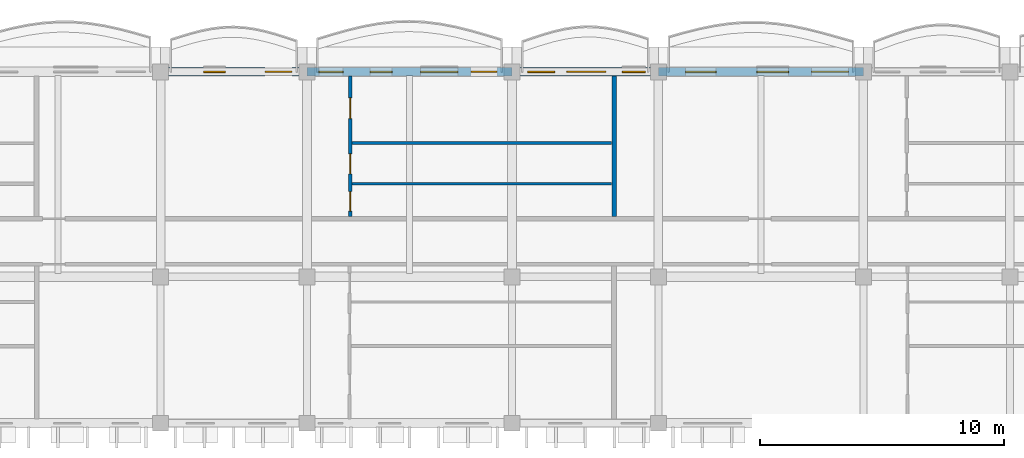
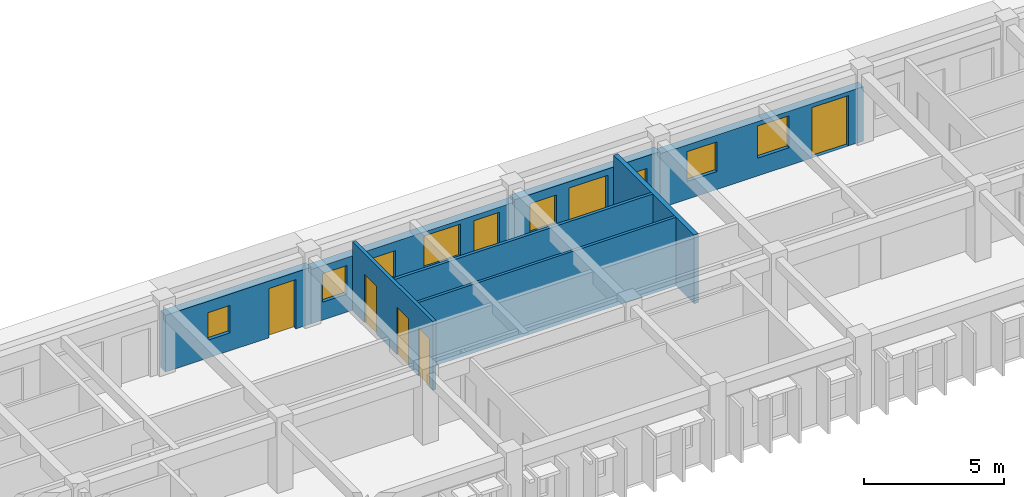
# One storey, part 40 of 79: 8 walls, 8 windows, 7 doors, 15 openings.
"""IFC4 building model written with IfcOpenShell, lengths in metres."""

from ifc_helpers import new_model, si_unit, direction, frame, frame_2d, origin, place, context, subcontext, project, spatial, rectangle, extrude, material, layer, layer_set, type_object, element, fill, save


model = new_model("IFC4")

# Units and contexts
model_context = context("Model", 3, precision=1e-05, world=origin(), true_north=direction((0.0, 1.0)))
body_context = subcontext(model_context, "Body", "Model", "MODEL_VIEW")
ifc_project = project(units=[si_unit("LENGTHUNIT", "METRE"), si_unit("AREAUNIT", "SQUARE_METRE"), si_unit("VOLUMEUNIT", "CUBIC_METRE"), si_unit("PLANEANGLEUNIT", "RADIAN"), si_unit("MASSUNIT", "GRAM", prefix="KILO"), si_unit("THERMODYNAMICTEMPERATUREUNIT", "KELVIN")], contexts=[model_context])

# Site, building, storey
site_placement = place(None, origin())
site = spatial("IfcSite", under=ifc_project, at=site_placement, CompositionType="ELEMENT")
building_placement = place(site_placement, origin())
building = spatial("IfcBuilding", under=site, at=building_placement, Name="Thalorik Housing Commons", CompositionType="ELEMENT")
storey_placement = place(building_placement, frame((0.0, 0.0, 11.39990234375)))
storey = spatial("IfcBuildingStorey", under=building, at=storey_placement, Name="L03", CompositionType="ELEMENT", Elevation=11.39990234375)

# Wall, openings, door, windows
ifc_material_1 = material(Name="White precast concrete C40/50", Category="concrete")
ifc_layer_1 = layer(ifc_material_1, 0.35009765625, Name="White precast concrete C40/50", Category="concrete")
ifc_layer_set_1 = layer_set([ifc_layer_1], Name="White precast concrete C40/50")
wall_type_1 = type_object("IfcWallType", Name="ARC-WAL-EXT-350", PredefinedType="STANDARD", material=ifc_layer_set_1)
wall_1_placement = place(storey_placement, frame((138.0, 123.60009765625, 0.0), z_axis=(0.0, 0.0, 1.0), x_axis=(-1.0, 0.0, 0.0)))
wall_1 = element("IfcWall", 1, at=wall_1_placement, inside=storey, type_object=wall_type_1, Name="L03 Exterior Wall WAL-EXT-L03-B-0490", PredefinedType="STANDARD", context=body_context, shape_type="SweptSolid", body=[
    extrude(rectangle(XDim=8.39990234375, YDim=0.35009765625, at=frame_2d((4.199951171875, 0.0))), origin(), (0.0, 0.0, 1.0), 2.375),
])
opening_1_placement = place(wall_1_placement, frame((0.6201171875, 0.0, 0.0)))
opening_1 = element("IfcOpeningElement", 2, at=opening_1_placement, cuts=wall_1, Name="Opening ED-0145", PredefinedType="OPENING", context=body_context, shape_type="SweptSolid", body=[
    extrude(rectangle(XDim=1.5, YDim=2.199951171875, at=frame_2d((0.75, 1.10009765625))), frame((0.0, 0.18505859375, 0.0), z_axis=(0.0, -1.0, 0.0), x_axis=(1.0, 0.0, 0.0)), (0.0, 0.0, 1.0), 0.3701171875),
])
opening_2_placement = place(wall_1_placement, frame((3.06494140625, 0.0, 0.780029296875)))
opening_2 = element("IfcOpeningElement", 3, at=opening_2_placement, cuts=wall_1, Name="Opening W-06", PredefinedType="OPENING", context=body_context, shape_type="SweptSolid", body=[
    extrude(rectangle(XDim=1.300048828125, YDim=1.39990234375, at=frame_2d((0.64990234375, 0.699951171875))), frame((0.0, 0.18505859375, 0.0), z_axis=(0.0, -1.0, 0.0), x_axis=(1.0, 0.0, 0.0)), (0.0, 0.0, 1.0), 0.3701171875),
])
opening_3_placement = place(wall_1_placement, frame((6.0400390625, 0.0, 0.780029296875)))
opening_3 = element("IfcOpeningElement", 4, at=opening_3_placement, cuts=wall_1, Name="Opening W-46", PredefinedType="OPENING", context=body_context, shape_type="SweptSolid", body=[
    extrude(rectangle(XDim=1.25, YDim=1.300048828125, at=frame_2d((0.625, 0.64990234375))), frame((0.0, 0.18505859375, 0.0), z_axis=(0.0, -1.0, 0.0), x_axis=(1.0, 0.0, 0.0)), (0.0, 0.0, 1.0), 0.3701171875),
])
ifc_material_2 = material(Name="Anodised aluminium and laminated safety glass", Category="aluminium")
door_type_1 = type_object("IfcDoorType", Name="ARC-DR-BAL-1500", OperationType="NOTDEFINED", PredefinedType="DOOR", material=ifc_material_2)
door_1_placement = place(opening_1_placement, frame((1.5, 0.0, 0.0), z_axis=(0.0, 0.0, 1.0), x_axis=(-1.0, 0.0, 0.0)))
door_1 = element("IfcDoor", 5, at=door_1_placement, inside=storey, type_object=door_type_1, Name="L03 Block B Balcony Glazed Door", OperationType="SLIDING_TO_RIGHT", OverallHeight=2.199951171875, OverallWidth=1.5, PredefinedType="DOOR", context=body_context, shape_type="SweptSolid", body=[
    extrude(rectangle(XDim=1.5, YDim=2.199951171875, at=frame_2d((0.75, 1.10009765625))), frame((0.0, 0.02490234375, 0.0), z_axis=(0.0, -1.0, 0.0), x_axis=(1.0, 0.0, 0.0)), (0.0, 0.0, 1.0), 0.050048828125),
])
fill(opening_1, door_1)
ifc_material_3 = material(Name="Anodised aluminium and solar-control low-E glass", Category="aluminium")
window_type_1 = type_object("IfcWindowType", Name="ARC-WIN-06", PartitioningType="SINGLE_PANEL", PredefinedType="WINDOW", material=ifc_material_3)
window_1_placement = place(opening_2_placement, origin())
window_1 = element("IfcWindow", 6, at=window_1_placement, inside=storey, type_object=window_type_1, Name="L03 Facade Window 880", OverallHeight=1.39990234375, OverallWidth=1.300048828125, PartitioningType="SINGLE_PANEL", PredefinedType="WINDOW", context=body_context, shape_type="SweptSolid", body=[
    extrude(rectangle(XDim=1.300048828125, YDim=1.39990234375, at=frame_2d((0.64990234375, 0.699951171875))), frame((0.0, 0.030029296875, 0.0), z_axis=(0.0, -1.0, 0.0), x_axis=(1.0, 0.0, 0.0)), (0.0, 0.0, 1.0), 0.06005859375),
])
fill(opening_2, window_1)
window_type_2 = type_object("IfcWindowType", Name="ARC-WIN-46", PartitioningType="SINGLE_PANEL", PredefinedType="WINDOW", material=ifc_material_3)
window_2_placement = place(opening_3_placement, origin())
window_2 = element("IfcWindow", 7, at=window_2_placement, inside=storey, type_object=window_type_2, Name="L03 Facade Window 881", OverallHeight=1.300048828125, OverallWidth=1.25, PartitioningType="SINGLE_PANEL", PredefinedType="WINDOW", context=body_context, shape_type="SweptSolid", body=[
    extrude(rectangle(XDim=1.25, YDim=1.300048828125, at=frame_2d((0.625, 0.64990234375))), frame((0.0, 0.030029296875, 0.0), z_axis=(0.0, -1.0, 0.0), x_axis=(1.0, 0.0, 0.0)), (0.0, 0.0, 1.0), 0.06005859375),
])
fill(opening_3, window_2)

wall_2_placement = place(storey_placement, frame((129.60009765625, 123.60009765625, 0.0), z_axis=(0.0, 0.0, 1.0), x_axis=(-1.0, 0.0, 0.0)))
wall_2 = element("IfcWall", 8, at=wall_2_placement, inside=storey, type_object=wall_type_1, Name="L03 Exterior Wall WAL-EXT-L03-B-0491", PredefinedType="STANDARD", context=body_context, shape_type="SweptSolid", body=[
    extrude(rectangle(XDim=6.0, YDim=0.35009765625, at=frame_2d((3.0, 0.0))), origin(), (0.0, 0.0, 1.0), 2.47509765625),
])
opening_4_placement = place(wall_2_placement, frame((2.14990234375, 0.0, 0.0)))
opening_4 = element("IfcOpeningElement", 9, at=opening_4_placement, cuts=wall_2, Name="Opening ED-0146", PredefinedType="OPENING", context=body_context, shape_type="SweptSolid", body=[
    extrude(rectangle(XDim=1.60009765625, YDim=2.199951171875, at=frame_2d((0.800048828125, 1.10009765625))), frame((0.0, 0.18505859375, 0.0), z_axis=(0.0, -1.0, 0.0), x_axis=(1.0, 0.0, 0.0)), (0.0, 0.0, 1.0), 0.3701171875),
])
opening_5_placement = place(wall_2_placement, frame((0.530029296875, 0.0, 0.780029296875)))
opening_5 = element("IfcOpeningElement", 10, at=opening_5_placement, cuts=wall_2, Name="Opening W-43", PredefinedType="OPENING", context=body_context, shape_type="SweptSolid", body=[
    extrude(rectangle(XDim=0.949951171875, YDim=1.14990234375, at=frame_2d((0.47509765625, 0.574951171875))), frame((0.0, 0.18505859375, 0.0), z_axis=(0.0, -1.0, 0.0), x_axis=(1.0, 0.0, 0.0)), (0.0, 0.0, 1.0), 0.3701171875),
])
opening_6_placement = place(wall_2_placement, frame((4.2548828125, 0.0, 0.780029296875)))
opening_6 = element("IfcOpeningElement", 11, at=opening_6_placement, cuts=wall_2, Name="Opening W-03", PredefinedType="OPENING", context=body_context, shape_type="SweptSolid", body=[
    extrude(rectangle(XDim=1.10009765625, YDim=1.300048828125, at=frame_2d((0.550048828125, 0.64990234375))), frame((0.0, 0.18505859375, 0.0), z_axis=(0.0, -1.0, 0.0), x_axis=(1.0, 0.0, 0.0)), (0.0, 0.0, 1.0), 0.3701171875),
])
door_type_2 = type_object("IfcDoorType", Name="ARC-DR-BAL-1600", OperationType="NOTDEFINED", PredefinedType="DOOR", material=ifc_material_2)
door_2_placement = place(opening_4_placement, frame((1.60009765625, 0.0, 0.0), z_axis=(0.0, 0.0, 1.0), x_axis=(-1.0, 0.0, 0.0)))
door_2 = element("IfcDoor", 12, at=door_2_placement, inside=storey, type_object=door_type_2, Name="L03 Block B Balcony Glazed Door", OperationType="SLIDING_TO_LEFT", OverallHeight=2.199951171875, OverallWidth=1.60009765625, PredefinedType="DOOR", context=body_context, shape_type="SweptSolid", body=[
    extrude(rectangle(XDim=1.60009765625, YDim=2.199951171875, at=frame_2d((0.800048828125, 1.10009765625))), frame((0.0, 0.02490234375, 0.0), z_axis=(0.0, -1.0, 0.0), x_axis=(1.0, 0.0, 0.0)), (0.0, 0.0, 1.0), 0.050048828125),
])
fill(opening_4, door_2)
window_type_3 = type_object("IfcWindowType", Name="ARC-WIN-03", PartitioningType="SINGLE_PANEL", PredefinedType="WINDOW", material=ifc_material_3)
window_3_placement = place(opening_6_placement, origin())
window_3 = element("IfcWindow", 13, at=window_3_placement, inside=storey, type_object=window_type_3, Name="L03 Facade Window 883", OverallHeight=1.300048828125, OverallWidth=1.10009765625, PartitioningType="SINGLE_PANEL", PredefinedType="WINDOW", context=body_context, shape_type="SweptSolid", body=[
    extrude(rectangle(XDim=1.10009765625, YDim=1.300048828125, at=frame_2d((0.550048828125, 0.64990234375))), frame((0.0, 0.030029296875, 0.0), z_axis=(0.0, -1.0, 0.0), x_axis=(1.0, 0.0, 0.0)), (0.0, 0.0, 1.0), 0.06005859375),
])
fill(opening_6, window_3)
window_type_4 = type_object("IfcWindowType", Name="ARC-WIN-43", PartitioningType="SINGLE_PANEL", PredefinedType="WINDOW", material=ifc_material_3)
window_4_placement = place(opening_5_placement, origin())
window_4 = element("IfcWindow", 14, at=window_4_placement, inside=storey, type_object=window_type_4, Name="L03 Facade Window 882", OverallHeight=1.14990234375, OverallWidth=0.949951171875, PartitioningType="SINGLE_PANEL", PredefinedType="WINDOW", context=body_context, shape_type="SweptSolid", body=[
    extrude(rectangle(XDim=0.949951171875, YDim=1.14990234375, at=frame_2d((0.47509765625, 0.574951171875))), frame((0.0, 0.030029296875, 0.0), z_axis=(0.0, -1.0, 0.0), x_axis=(1.0, 0.0, 0.0)), (0.0, 0.0, 1.0), 0.06005859375),
])
fill(opening_5, window_4)

wall_3_placement = place(storey_placement, frame((123.60009765625, 123.60009765625, 0.0), z_axis=(0.0, 0.0, 1.0), x_axis=(-1.0, 0.0, 0.0)))
wall_3 = element("IfcWall", 15, at=wall_3_placement, inside=storey, type_object=wall_type_1, Name="L03 Exterior Wall WAL-EXT-L03-B-0492", PredefinedType="STANDARD", context=body_context, shape_type="SweptSolid", body=[
    extrude(rectangle(XDim=8.400146484375, YDim=0.35009765625, at=frame_2d((4.2001953125, 0.0))), origin(), (0.0, 0.0, 1.0), 2.375),
])
opening_7_placement = place(wall_3_placement, frame((0.6201171875, 0.0, 0.0)))
opening_7 = element("IfcOpeningElement", 16, at=opening_7_placement, cuts=wall_3, Name="Opening ED-0147", PredefinedType="OPENING", context=body_context, shape_type="SweptSolid", body=[
    extrude(rectangle(XDim=1.050048828125, YDim=2.14990234375, at=frame_2d((0.52490234375, 1.074951171875))), frame((0.0, 0.18505859375, 0.0), z_axis=(0.0, -1.0, 0.0), x_axis=(1.0, 0.0, 0.0)), (0.0, 0.0, 1.0), 0.3701171875),
])
opening_8_placement = place(wall_3_placement, frame((2.220703125, 0.0, 0.780029296875)))
opening_8 = element("IfcOpeningElement", 17, at=opening_8_placement, cuts=wall_3, Name="Opening W-52", PredefinedType="OPENING", context=body_context, shape_type="SweptSolid", body=[
    extrude(rectangle(XDim=1.52001953125, YDim=1.419921875, at=frame_2d((0.760009765625, 0.7099609375))), frame((0.0, 0.18505859375, 0.0), z_axis=(0.0, -1.0, 0.0), x_axis=(1.0, 0.0, 0.0)), (0.0, 0.0, 1.0), 0.3701171875),
])
opening_9_placement = place(wall_3_placement, frame((4.912353515625, 0.0, 0.780029296875)))
opening_9 = element("IfcOpeningElement", 18, at=opening_9_placement, cuts=wall_3, Name="Opening W-01", PredefinedType="OPENING", context=body_context, shape_type="SweptSolid", body=[
    extrude(rectangle(XDim=0.89990234375, YDim=1.199951171875, at=frame_2d((0.449951171875, 0.60009765625))), frame((0.0, 0.18505859375, 0.0), z_axis=(0.0, -1.0, 0.0), x_axis=(1.0, 0.0, 0.0)), (0.0, 0.0, 1.0), 0.3701171875),
])
opening_10_placement = place(wall_3_placement, frame((6.91650390625, 0.0, 0.780029296875)))
opening_10 = element("IfcOpeningElement", 19, at=opening_10_placement, cuts=wall_3, Name="Opening W-02", PredefinedType="OPENING", context=body_context, shape_type="SweptSolid", body=[
    extrude(rectangle(XDim=1.0, YDim=1.25, at=frame_2d((0.5, 0.625))), frame((0.0, 0.18505859375, 0.0), z_axis=(0.0, -1.0, 0.0), x_axis=(1.0, 0.0, 0.0)), (0.0, 0.0, 1.0), 0.3701171875),
])
door_type_3 = type_object("IfcDoorType", Name="ARC-DR-BAL-1050", OperationType="NOTDEFINED", PredefinedType="DOOR", material=ifc_material_2)
door_3_placement = place(opening_7_placement, frame((1.050048828125, 0.0, 0.0), z_axis=(0.0, 0.0, 1.0), x_axis=(-1.0, 0.0, 0.0)))
door_3 = element("IfcDoor", 20, at=door_3_placement, inside=storey, type_object=door_type_3, Name="L03 Block B Balcony Glazed Door", OperationType="SINGLE_SWING_RIGHT", OverallHeight=2.14990234375, OverallWidth=1.050048828125, PredefinedType="DOOR", context=body_context, shape_type="SweptSolid", body=[
    extrude(rectangle(XDim=1.050048828125, YDim=2.14990234375, at=frame_2d((0.52490234375, 1.074951171875))), frame((0.0, 0.02490234375, 0.0), z_axis=(0.0, -1.0, 0.0), x_axis=(1.0, 0.0, 0.0)), (0.0, 0.0, 1.0), 0.050048828125),
])
fill(opening_7, door_3)
window_type_5 = type_object("IfcWindowType", Name="ARC-WIN-01", PartitioningType="SINGLE_PANEL", PredefinedType="WINDOW", material=ifc_material_3)
window_5_placement = place(opening_9_placement, origin())
window_5 = element("IfcWindow", 21, at=window_5_placement, inside=storey, type_object=window_type_5, Name="L03 Facade Window 885", OverallHeight=1.199951171875, OverallWidth=0.89990234375, PartitioningType="SINGLE_PANEL", PredefinedType="WINDOW", context=body_context, shape_type="SweptSolid", body=[
    extrude(rectangle(XDim=0.89990234375, YDim=1.199951171875, at=frame_2d((0.449951171875, 0.60009765625))), frame((0.0, 0.030029296875, 0.0), z_axis=(0.0, -1.0, 0.0), x_axis=(1.0, 0.0, 0.0)), (0.0, 0.0, 1.0), 0.06005859375),
])
fill(opening_9, window_5)
window_type_6 = type_object("IfcWindowType", Name="ARC-WIN-02", PartitioningType="SINGLE_PANEL", PredefinedType="WINDOW", material=ifc_material_3)
window_6_placement = place(opening_10_placement, origin())
window_6 = element("IfcWindow", 22, at=window_6_placement, inside=storey, type_object=window_type_6, Name="L03 Facade Window 886", OverallHeight=1.25, OverallWidth=1.0, PartitioningType="SINGLE_PANEL", PredefinedType="WINDOW", context=body_context, shape_type="SweptSolid", body=[
    extrude(rectangle(XDim=1.0, YDim=1.25, at=frame_2d((0.5, 0.625))), frame((0.0, 0.030029296875, 0.0), z_axis=(0.0, -1.0, 0.0), x_axis=(1.0, 0.0, 0.0)), (0.0, 0.0, 1.0), 0.06005859375),
])
fill(opening_10, window_6)
window_type_7 = type_object("IfcWindowType", Name="ARC-WIN-52", PartitioningType="SINGLE_PANEL", PredefinedType="WINDOW", material=ifc_material_3)
window_7_placement = place(opening_8_placement, origin())
window_7 = element("IfcWindow", 23, at=window_7_placement, inside=storey, type_object=window_type_7, Name="L03 Facade Window 884", OverallHeight=1.419921875, OverallWidth=1.52001953125, PartitioningType="SINGLE_PANEL", PredefinedType="WINDOW", context=body_context, shape_type="SweptSolid", body=[
    extrude(rectangle(XDim=1.52001953125, YDim=1.419921875, at=frame_2d((0.760009765625, 0.7099609375))), frame((0.0, 0.030029296875, 0.0), z_axis=(0.0, -1.0, 0.0), x_axis=(1.0, 0.0, 0.0)), (0.0, 0.0, 1.0), 0.06005859375),
])
fill(opening_8, window_7)

# Wall, openings, door, window
wall_4_placement = place(storey_placement, frame((115.199951171875, 123.60009765625, 0.0), z_axis=(0.0, 0.0, 1.0), x_axis=(-1.0, 0.0, 0.0)))
wall_4 = element("IfcWall", 24, at=wall_4_placement, inside=storey, type_object=wall_type_1, Name="L03 Exterior Wall WAL-EXT-L03-B-0493", PredefinedType="STANDARD", context=body_context, shape_type="SweptSolid", body=[
    extrude(rectangle(XDim=6.0, YDim=0.35009765625, at=frame_2d((3.0, 0.0))), origin(), (0.0, 0.0, 1.0), 2.47509765625),
])
opening_11_placement = place(wall_4_placement, frame((0.6201171875, 0.0, 0.0)))
opening_11 = element("IfcOpeningElement", 25, at=opening_11_placement, cuts=wall_4, Name="Opening ED-0148", PredefinedType="OPENING", context=body_context, shape_type="SweptSolid", body=[
    extrude(rectangle(XDim=1.10009765625, YDim=2.14990234375, at=frame_2d((0.550048828125, 1.074951171875))), frame((0.0, 0.18505859375, 0.0), z_axis=(0.0, -1.0, 0.0), x_axis=(1.0, 0.0, 0.0)), (0.0, 0.0, 1.0), 0.3701171875),
])
opening_12_placement = place(wall_4_placement, frame((3.340087890625, 0.0, 0.780029296875)))
opening_12 = element("IfcOpeningElement", 26, at=opening_12_placement, cuts=wall_4, Name="Opening W-01", PredefinedType="OPENING", context=body_context, shape_type="SweptSolid", body=[
    extrude(rectangle(XDim=0.89990234375, YDim=1.199951171875, at=frame_2d((0.449951171875, 0.60009765625))), frame((0.0, 0.18505859375, 0.0), z_axis=(0.0, -1.0, 0.0), x_axis=(1.0, 0.0, 0.0)), (0.0, 0.0, 1.0), 0.3701171875),
])
door_type_4 = type_object("IfcDoorType", Name="ARC-DR-BAL-1100", OperationType="NOTDEFINED", PredefinedType="DOOR", material=ifc_material_2)
door_4_placement = place(opening_11_placement, frame((1.10009765625, 0.0, 0.0), z_axis=(0.0, 0.0, 1.0), x_axis=(-1.0, 0.0, 0.0)))
door_4 = element("IfcDoor", 27, at=door_4_placement, inside=storey, type_object=door_type_4, Name="L03 Block B Balcony Glazed Door", OperationType="SINGLE_SWING_LEFT", OverallHeight=2.14990234375, OverallWidth=1.10009765625, PredefinedType="DOOR", context=body_context, shape_type="SweptSolid", body=[
    extrude(rectangle(XDim=1.10009765625, YDim=2.14990234375, at=frame_2d((0.550048828125, 1.074951171875))), frame((0.0, 0.02490234375, 0.0), z_axis=(0.0, -1.0, 0.0), x_axis=(1.0, 0.0, 0.0)), (0.0, 0.0, 1.0), 0.050048828125),
])
fill(opening_11, door_4)
window_8_placement = place(opening_12_placement, origin())
window_8 = element("IfcWindow", 28, at=window_8_placement, inside=storey, type_object=window_type_5, Name="L03 Facade Window 887", OverallHeight=1.199951171875, OverallWidth=0.89990234375, PartitioningType="SINGLE_PANEL", PredefinedType="WINDOW", context=body_context, shape_type="SweptSolid", body=[
    extrude(rectangle(XDim=0.89990234375, YDim=1.199951171875, at=frame_2d((0.449951171875, 0.60009765625))), frame((0.0, 0.030029296875, 0.0), z_axis=(0.0, -1.0, 0.0), x_axis=(1.0, 0.0, 0.0)), (0.0, 0.0, 1.0), 0.06005859375),
])
fill(opening_12, window_8)

# Walls
ifc_material_4 = material(Name="Gypsum moisture-resistant partition", Category="masonry")
ifc_layer_2 = layer(ifc_material_4, 0.114990234375, Name="Gypsum moisture-resistant partition", Category="masonry")
ifc_layer_set_2 = layer_set([ifc_layer_2], Name="Gypsum moisture-resistant partition")
wall_type_2 = type_object("IfcWallType", Name="ARC-WAL-PART-115", PredefinedType="PARTITIONING", material=ifc_layer_set_2)
wall_5_placement = place(storey_placement, frame((117.048828125, 119.010498046875, 0.0), z_axis=(0.0, 0.0, 1.0), x_axis=(1.0, 0.0, 0.0)))
element("IfcWall", 29, at=wall_5_placement, inside=storey, type_object=wall_type_2, Name="L03 Unit 2B Wet Wall", PredefinedType="PARTITIONING", context=body_context, shape_type="SweptSolid", body=[
    extrude(rectangle(XDim=10.63671875, YDim=0.114990234375, at=frame_2d((5.318359375, 0.0))), origin(), (0.0, 0.0, 1.0), 3.0),
])
ifc_material_5 = material(Name="Gypsum acoustic stud partition", Category="masonry")
ifc_layer_3 = layer(ifc_material_5, 0.125, Name="Gypsum acoustic stud partition", Category="masonry")
ifc_layer_set_3 = layer_set([ifc_layer_3], Name="Gypsum acoustic stud partition")
wall_type_3 = type_object("IfcWallType", Name="ARC-WAL-PART-125", PredefinedType="PARTITIONING", material=ifc_layer_set_3)
wall_6_placement = place(storey_placement, frame((117.048828125, 120.67919921875, 0.0), z_axis=(0.0, 0.0, 1.0), x_axis=(1.0, 0.0, 0.0)))
element("IfcWall", 30, at=wall_6_placement, inside=storey, type_object=wall_type_3, Name="L03 Unit 2B Bedroom Partition", PredefinedType="PARTITIONING", context=body_context, shape_type="SweptSolid", body=[
    extrude(rectangle(XDim=10.63671875, YDim=0.125, at=frame_2d((5.318359375, 0.0))), origin(), (0.0, 0.0, 1.0), 3.0),
])

# Wall, openings, doors
ifc_material_6 = material(Name="Ceramic masonry partition wall", Category="masonry")
ifc_layer_4 = layer(ifc_material_6, 0.139892578125, Name="Ceramic masonry partition wall", Category="masonry")
ifc_layer_set_4 = layer_set([ifc_layer_4], Name="Ceramic masonry partition wall")
wall_type_4 = type_object("IfcWallType", Name="ARC-WAL-PART-140", PredefinedType="PARTITIONING", material=ifc_layer_set_4)
wall_7_placement = place(storey_placement, frame((116.976806640625, 117.66455078125, 0.0), z_axis=(0.0, 0.0, 1.0), x_axis=(0.0, 1.0, 0.0)))
wall_7 = element("IfcWall", 31, at=wall_7_placement, inside=storey, type_object=wall_type_4, Name="L03 Unit 2B Spine Partition", PredefinedType="PARTITIONING", context=body_context, shape_type="SweptSolid", body=[
    extrude(rectangle(XDim=5.758544921875, YDim=0.139892578125, at=frame_2d((2.87939453125, 0.0))), origin(), (0.0, 0.0, 1.0), 3.0),
])
opening_13_placement = place(wall_7_placement, frame((0.230712890625, 0.0, 0.0)))
opening_13 = element("IfcOpeningElement", 32, at=opening_13_placement, cuts=wall_7, Name="Opening ID-1083", PredefinedType="OPENING", context=body_context, shape_type="SweptSolid", body=[
    extrude(rectangle(XDim=0.800048828125, YDim=2.10009765625, at=frame_2d((0.39990234375, 1.050048828125))), frame((0.0, 0.080078125, 0.0), z_axis=(0.0, -1.0, 0.0), x_axis=(1.0, 0.0, 0.0)), (0.0, 0.0, 1.0), 0.159912109375),
])
opening_14_placement = place(wall_7_placement, frame((1.75537109375, 0.0, 0.0)))
opening_14 = element("IfcOpeningElement", 33, at=opening_14_placement, cuts=wall_7, Name="Opening ID-1084", PredefinedType="OPENING", context=body_context, shape_type="SweptSolid", body=[
    extrude(rectangle(XDim=0.820068359375, YDim=2.080078125, at=frame_2d((0.41015625, 1.0400390625))), frame((0.0, 0.080078125, 0.0), z_axis=(0.0, -1.0, 0.0), x_axis=(1.0, 0.0, 0.0)), (0.0, 0.0, 1.0), 0.159912109375),
])
opening_15_placement = place(wall_7_placement, frame((4.02001953125, 0.0, 0.0)))
opening_15 = element("IfcOpeningElement", 34, at=opening_15_placement, cuts=wall_7, Name="Opening ID-1085", PredefinedType="OPENING", context=body_context, shape_type="SweptSolid", body=[
    extrude(rectangle(XDim=0.85009765625, YDim=2.10009765625, at=frame_2d((0.425048828125, 1.050048828125))), frame((0.0, 0.080078125, 0.0), z_axis=(0.0, -1.0, 0.0), x_axis=(1.0, 0.0, 0.0)), (0.0, 0.0, 1.0), 0.159912109375),
])
ifc_material_7 = material(Name="Moisture-resistant timber", Category="wood")
door_type_5 = type_object("IfcDoorType", Name="ARC-DR-INT-800", OperationType="NOTDEFINED", PredefinedType="DOOR", material=ifc_material_7)
door_5_placement = place(opening_13_placement, origin())
door_5 = element("IfcDoor", 35, at=door_5_placement, inside=storey, type_object=door_type_5, Name="L03 Flat Bathroom Door", OperationType="SINGLE_SWING_RIGHT", OverallHeight=2.10009765625, OverallWidth=0.800048828125, PredefinedType="DOOR", context=body_context, shape_type="SweptSolid", body=[
    extrude(rectangle(XDim=0.800048828125, YDim=2.10009765625, at=frame_2d((0.39990234375, 1.050048828125))), frame((0.0, 0.02490234375, 0.0), z_axis=(0.0, -1.0, 0.0), x_axis=(1.0, 0.0, 0.0)), (0.0, 0.0, 1.0), 0.050048828125),
])
fill(opening_13, door_5)
ifc_material_8 = material(Name="Engineered oak timber", Category="wood")
door_type_6 = type_object("IfcDoorType", Name="ARC-DR-INT-820", OperationType="NOTDEFINED", PredefinedType="DOOR", material=ifc_material_8)
door_6_placement = place(opening_14_placement, origin())
door_6 = element("IfcDoor", 36, at=door_6_placement, inside=storey, type_object=door_type_6, Name="L03 Galley Kitchen Door", OperationType="SINGLE_SWING_LEFT", OverallHeight=2.080078125, OverallWidth=0.820068359375, PredefinedType="DOOR", context=body_context, shape_type="SweptSolid", body=[
    extrude(rectangle(XDim=0.820068359375, YDim=2.080078125, at=frame_2d((0.41015625, 1.0400390625))), frame((0.0, 0.02490234375, 0.0), z_axis=(0.0, -1.0, 0.0), x_axis=(1.0, 0.0, 0.0)), (0.0, 0.0, 1.0), 0.050048828125),
])
fill(opening_14, door_6)
door_type_7 = type_object("IfcDoorType", Name="ARC-DR-INT-850", OperationType="NOTDEFINED", PredefinedType="DOOR", material=ifc_material_8)
door_7_placement = place(opening_15_placement, origin())
door_7 = element("IfcDoor", 37, at=door_7_placement, inside=storey, type_object=door_type_7, Name="L03 Double Bedroom Door", OperationType="SINGLE_SWING_RIGHT", OverallHeight=2.10009765625, OverallWidth=0.85009765625, PredefinedType="DOOR", context=body_context, shape_type="SweptSolid", body=[
    extrude(rectangle(XDim=0.85009765625, YDim=2.10009765625, at=frame_2d((0.425048828125, 1.050048828125))), frame((0.0, 0.02490234375, 0.0), z_axis=(0.0, -1.0, 0.0), x_axis=(1.0, 0.0, 0.0)), (0.0, 0.0, 1.0), 0.050048828125),
])
fill(opening_15, door_7)

# Wall
ifc_material_9 = material(Name="Masonry acoustic blockwork wall", Category="masonry")
ifc_layer_5 = layer(ifc_material_9, 0.18505859375, Name="Masonry acoustic blockwork wall", Category="masonry")
ifc_layer_set_5 = layer_set([ifc_layer_5], Name="Masonry acoustic blockwork wall")
wall_type_5 = type_object("IfcWallType", Name="ARC-WAL-PARTY-185", PredefinedType="PARTITIONING", material=ifc_layer_set_5)
wall_8_placement = place(storey_placement, frame((127.780029296875, 117.66455078125, 0.0), z_axis=(0.0, 0.0, 1.0), x_axis=(0.0, 1.0, 0.0)))
element("IfcWall", 38, at=wall_8_placement, inside=storey, type_object=wall_type_5, Name="L03 Inter-Tenancy Wall 2B", PredefinedType="PARTITIONING", context=body_context, shape_type="SweptSolid", body=[
    extrude(rectangle(XDim=5.758544921875, YDim=0.18505859375, at=frame_2d((2.87939453125, 0.0))), origin(), (0.0, 0.0, 1.0), 3.0),
])

save(model, "model.ifc")
